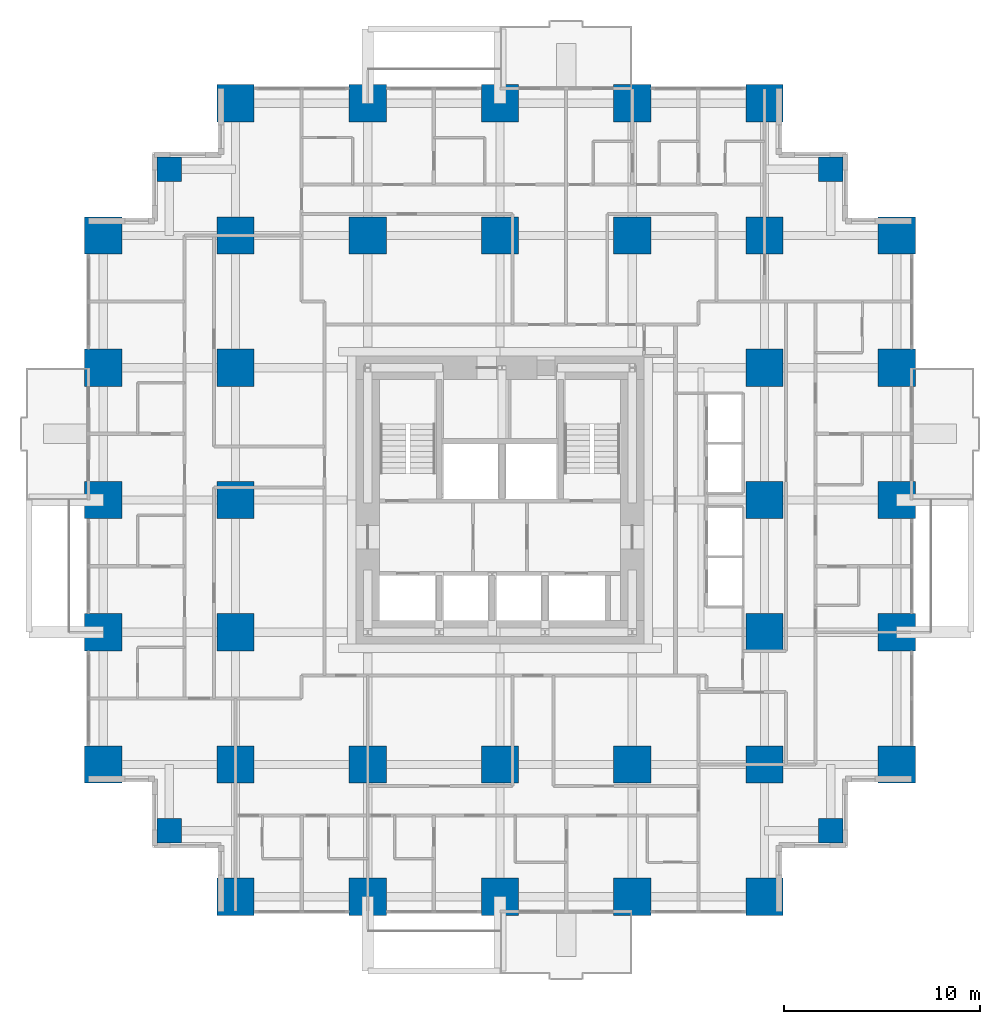
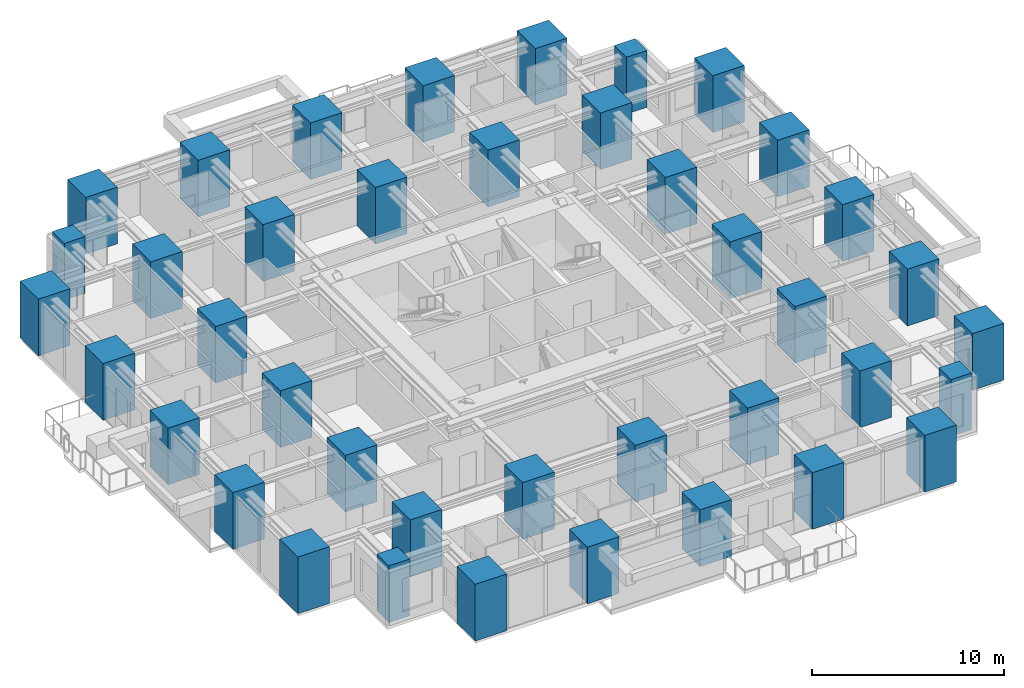
# One storey, part 1 of 14: 40 columns.
"""IFC4 building model written with IfcOpenShell, lengths in metres."""

import ifcopenshell
import ifcopenshell.guid

model = None  # the IFC model being written
_history = None  # IfcOwnerHistory: only IFC2X3 demands one
_inside = {}  # id of a spatial element -> (the spatial element, [elements in it])
_under = {}  # id of a project, library or spatial element -> (it, [spatial elements below it])
_declared = {}  # id of a project -> (the project, [libraries it declares])
_typed = {}  # id of a type object -> (the type object, [elements of that type])
_made_of = {}  # id of a material, layer set ... -> (it, [elements and type objects made of it])


def new_model(schema):
    """Start an empty IFC model of exactly this schema.

    Asked for "IFC4X3", IfcOpenShell would pick the latest addendum, in which some entities
    have other attributes; the version numbers below select the first issue.
    IFC2X3 requires an IfcOwnerHistory on every rooted entity: one is made here for all.
    """
    global model, _history
    if schema == "IFC4X3":
        model = ifcopenshell.file(schema_version=(4, 3, 0, 0))
    else:
        model = ifcopenshell.file(schema=schema)
    _inside.clear()
    _under.clear()
    _declared.clear()
    _typed.clear()
    _made_of.clear()
    _history = None
    if model.schema == "IFC2X3":
        org = make("IfcOrganization", Name="unknown")
        user = make(
            "IfcPersonAndOrganization",
            ThePerson=make("IfcPerson", FamilyName="unknown"),
            TheOrganization=org,
        )
        app = make(
            "IfcApplication",
            ApplicationDeveloper=org,
            Version="unknown",
            ApplicationFullName="unknown",
            ApplicationIdentifier="unknown",
        )
        _history = make(
            "IfcOwnerHistory",
            OwningUser=user,
            OwningApplication=app,
            ChangeAction="ADDED",
            CreationDate=0,
        )
    return model


def make(cls, **values):
    """One entity of the class cls with the attributes given. An attribute that is None is left unset."""
    return model.create_entity(
        cls, **{name: value for name, value in values.items() if value is not None}
    )


def rooted(cls, **values):
    """An entity with a GlobalId (a new one), such as an element, a storey or a relation."""
    return make(cls, GlobalId=ifcopenshell.guid.new(), OwnerHistory=_history, **values)


def si_unit(unit_type, name, prefix=None):
    """IfcSIUnit, for example si_unit("LENGTHUNIT", "METRE", prefix="MILLI")."""
    return make("IfcSIUnit", UnitType=unit_type, Prefix=prefix, Name=name)


def assignment(units):
    """IfcUnitAssignment: the units of a project."""
    return None if units is None else make("IfcUnitAssignment", Units=units)


def point(xyz):
    """IfcCartesianPoint."""
    return None if xyz is None else make("IfcCartesianPoint", Coordinates=xyz)


def direction(xyz):
    """IfcDirection."""
    return None if xyz is None else make("IfcDirection", DirectionRatios=xyz)


def frame(location, z_axis=None, x_axis=None):
    """IfcAxis2Placement3D, a coordinate frame: its origin and axes. An axis left out is left unset."""
    return make(
        "IfcAxis2Placement3D",
        Location=point(location),
        Axis=direction(z_axis),
        RefDirection=direction(x_axis),
    )


def frame_2d(location, x_axis=None):
    """IfcAxis2Placement2D, a coordinate frame in the plane: its origin and x axis."""
    return make(
        "IfcAxis2Placement2D", Location=point(location), RefDirection=direction(x_axis)
    )


def origin():
    """The frame at (0, 0, 0) with its axes left unset."""
    return frame((0.0, 0.0, 0.0))


def origin_2d():
    """The frame at (0, 0) in the plane with its x axis left unset."""
    return frame_2d((0.0, 0.0))


def place(relative_to, where):
    """IfcLocalPlacement: puts the frame where relative to a parent placement (None: the world)."""
    return make(
        "IfcLocalPlacement", PlacementRelTo=relative_to, RelativePlacement=where
    )


def context(
    kind, dimensions, precision=None, world=None, true_north=None, identifier=None
):
    """IfcGeometricRepresentationContext, for example the 3D "Model" context."""
    return make(
        "IfcGeometricRepresentationContext",
        ContextIdentifier=identifier,
        ContextType=kind,
        CoordinateSpaceDimension=dimensions,
        Precision=precision,
        WorldCoordinateSystem=world,
        TrueNorth=true_north,
    )


def subcontext(parent, identifier, kind, view, scale=None):
    """IfcGeometricRepresentationSubContext, for example "Body" below "Model"."""
    return make(
        "IfcGeometricRepresentationSubContext",
        ContextIdentifier=identifier,
        ContextType=kind,
        ParentContext=parent,
        TargetScale=scale,
        TargetView=view,
    )


def project(units=None, contexts=None):
    """IfcProject with its units and contexts."""
    return rooted(
        "IfcProject",
        Name="project",
        RepresentationContexts=contexts,
        UnitsInContext=assignment(units),
    )


def spatial(cls, under=None, at=None, **own):
    """A site, building, storey or space (cls), placed at a placement, below another one or the project."""
    s = rooted(cls, ObjectPlacement=at, **own)
    if under is not None:
        _under.setdefault(under.id(), (under, []))[1].append(s)
    return s


def profile(cls, at=None, kind="AREA", **sizes):
    """A parametric profile (cls). Its sizes go by their IFC names, for example OverallWidth=200.0."""
    return make(cls, ProfileType=kind, Position=at, **sizes)


def rectangle(**sizes):
    """IfcRectangleProfileDef."""
    return profile("IfcRectangleProfileDef", **sizes)


def extrude(swept, where, along, depth):
    """IfcExtrudedAreaSolid: the profile swept, set in the frame where, extruded along a direction by depth."""
    return make(
        "IfcExtrudedAreaSolid",
        SweptArea=swept,
        Position=where,
        ExtrudedDirection=direction(along),
        Depth=depth,
    )


def shape(context_of_items, identifier, shape_type, items):
    """IfcShapeRepresentation: the items that make up one representation, for example the "Body"."""
    return make(
        "IfcShapeRepresentation",
        ContextOfItems=context_of_items,
        RepresentationIdentifier=identifier,
        RepresentationType=shape_type,
        Items=items,
    )


def material(Name=None, Category=None):
    """IfcMaterial."""
    return make("IfcMaterial", Name=Name, Category=Category)


def material_profile(
    of_material, cross_section, Name=None, Category=None, Priority=None
):
    """IfcMaterialProfile: a cross section and its material."""
    return make(
        "IfcMaterialProfile",
        Name=Name,
        Material=of_material,
        Profile=cross_section,
        Priority=Priority,
        Category=Category,
    )


def profile_set(profiles, Name=None, composite=None):
    """IfcMaterialProfileSet."""
    return make(
        "IfcMaterialProfileSet",
        Name=Name,
        MaterialProfiles=profiles,
        CompositeProfile=composite,
    )


def made_of(thing, what):
    """Note that an element or type object is made of a material, layer set ...; save() writes the relation."""
    if what is not None:
        _made_of.setdefault(what.id(), (what, []))[1].append(thing)
    return thing


def type_object(cls, material=None, **own):
    """A type object (cls), such as IfcWallType, which elements share."""
    return made_of(rooted(cls, **own), material)


def element(
    cls,
    number,
    at=None,
    inside=None,
    cuts=None,
    type_object=None,
    material=None,
    context=None,
    identifier="Body",
    shape_type=None,
    held_by="IfcProductDefinitionShape",
    body=None,
    shapes=None,
    **own,
):
    """One element of the class cls, such as IfcWall. Its Tag is "e" and its number.

    at: its placement. inside: the storey or other place that contains it. cuts: it is an
    opening in that element (IfcRelVoidsElement). A single representation is given by context,
    identifier, shape_type and body (its items); several are given by shapes. held_by: the class
    of the entity that holds the representations. save() writes the other relations.
    """
    e = rooted(cls, Tag="e%d" % number, ObjectPlacement=at, **own)
    if body is not None:
        shapes = [shape(context, identifier, shape_type, body)]
    if shapes is not None:
        e.Representation = make(held_by, Representations=shapes)
    if inside is not None:
        _inside.setdefault(inside.id(), (inside, []))[1].append(e)
    if cuts is not None:
        rooted(
            "IfcRelVoidsElement", RelatingBuildingElement=cuts, RelatedOpeningElement=e
        )
    if type_object is not None:
        _typed.setdefault(type_object.id(), (type_object, []))[1].append(e)
    return made_of(e, material)


def aggregate(whole, parts):
    """IfcRelAggregates: a whole, such as a stair, and the parts it consists of."""
    return rooted("IfcRelAggregates", RelatingObject=whole, RelatedObjects=parts)


def save(model, path):
    """Write the relations noted so far, then the file.

    IfcRelAggregates (storeys below a building ...), IfcRelContainedInSpatialStructure (elements
    in a storey), IfcRelDefinesByType, IfcRelAssociatesMaterial and IfcRelDeclares: one each for
    every whole, place, type object, material and project.
    """
    for whole, parts in _under.values():
        aggregate(whole, parts)
    for where, things in _inside.values():
        rooted(
            "IfcRelContainedInSpatialStructure",
            RelatedElements=things,
            RelatingStructure=where,
        )
    for kind, things in _typed.values():
        rooted("IfcRelDefinesByType", RelatedObjects=things, RelatingType=kind)
    for what, things in _made_of.values():
        rooted("IfcRelAssociatesMaterial", RelatedObjects=things, RelatingMaterial=what)
    for by, libraries in _declared.values():
        rooted("IfcRelDeclares", RelatingContext=by, RelatedDefinitions=libraries)
    model.write(path)


model = new_model("IFC4")

# Units and contexts
model_context = context("Model", 3, precision=1e-05, world=origin(), true_north=direction((0.0, 1.0)))
body_context = subcontext(model_context, "Body", "Model", "MODEL_VIEW")
ifc_project = project(units=[si_unit("LENGTHUNIT", "METRE"), si_unit("AREAUNIT", "SQUARE_METRE"), si_unit("VOLUMEUNIT", "CUBIC_METRE"), si_unit("PLANEANGLEUNIT", "RADIAN"), si_unit("MASSUNIT", "GRAM", prefix="KILO")], contexts=[model_context])

# Site, building, storey
site_placement = place(None, origin())
site = spatial("IfcSite", under=ifc_project, at=site_placement, CompositionType="ELEMENT")
building_placement = place(site_placement, origin())
building = spatial("IfcBuilding", under=site, at=building_placement, Name="Nyansa Garden Tower", CompositionType="ELEMENT")
storey_placement = place(building_placement, frame((0.0, 0.0, 28.800048828125)))
storey = spatial("IfcBuildingStorey", under=building, at=storey_placement, Name="L07", CompositionType="ELEMENT", Elevation=28.800048828125)

# Columns
ifc_material_1 = material(Name="Concrete C70/85", Category="concrete")
ifc_material_profile_1 = material_profile(ifc_material_1, rectangle(XDim=1.25, YDim=1.25, at=origin_2d()), Name="RC 1250x1250")
ifc_profile_set_1 = profile_set([ifc_material_profile_1], Name="Concrete C70/85")
column_type_1 = type_object("IfcColumnType", Name="Column C125 RC 1250x1250", PredefinedType="COLUMN", material=ifc_profile_set_1)
for number, where, z_axis, x_axis, name in (
    (1, (3.375, 3.375, 0.0), (0.0, 0.0, 1.0), (1.0, 0.0, 0.0), "Column x3.375/y3.375 L07"),
    (2, (3.375, 37.125, 0.0), (0.0, 0.0, 1.0), (1.0, 0.0, 0.0), "Column x3.375/y37.125 L07"),
    (3, (37.125, 3.375, 0.0), (0.0, 0.0, 1.0), (1.0, 0.0, 0.0), "Column x37.125/y3.375 L07"),
    (4, (37.125, 37.125, 0.0), (0.0, 0.0, 1.0), (1.0, 0.0, 0.0), "Column x37.125/y37.125 L07"),
):
    element("IfcColumn", number, at=place(storey_placement, frame(where, z_axis=z_axis, x_axis=x_axis)), inside=storey, type_object=column_type_1, Name=name, PredefinedType="COLUMN", context=body_context, shape_type="SweptSolid", body=[
        extrude(rectangle(XDim=1.25, YDim=1.25, at=origin_2d()), origin(), (0.0, 0.0, 1.0), 3.599853515625),
    ])
ifc_material_2 = material(Name="Concrete C80/95", Category="concrete")
ifc_material_profile_2 = material_profile(ifc_material_2, rectangle(XDim=1.89990234375, YDim=1.89990234375, at=origin_2d()), Name="RC 1900x1900")
ifc_profile_set_2 = profile_set([ifc_material_profile_2], Name="Concrete C80/95")
column_type_2 = type_object("IfcColumnType", Name="Column C190 RC 1900x1900", PredefinedType="COLUMN", material=ifc_profile_set_2)
for number, where, z_axis, x_axis, name in (
    (5, (0.0, 6.75, 0.0), (0.0, 0.0, 1.0), (1.0, 0.0, 0.0), "Column 2/E L07"),
    (6, (0.0, 13.5, 0.0), (0.0, 0.0, 1.0), (1.0, 0.0, 0.0), "Column 2/F L07"),
    (7, (0.0, 20.25, 0.0), (0.0, 0.0, 1.0), (1.0, 0.0, 0.0), "Column 2/G L07"),
    (8, (0.0, 27.0, 0.0), (0.0, 0.0, 1.0), (1.0, 0.0, 0.0), "Column 2/H L07"),
    (9, (0.0, 33.75, 0.0), (0.0, 0.0, 1.0), (1.0, 0.0, 0.0), "Column 2/J L07"),
    (10, (6.75, 0.0, 0.0), (0.0, 0.0, 1.0), (1.0, 0.0, 0.0), "Column 3/D L07"),
    (11, (6.75, 6.75, 0.0), (0.0, 0.0, 1.0), (1.0, 0.0, 0.0), "Column 3/E L07"),
    (12, (6.75, 13.5, 0.0), (0.0, 0.0, 1.0), (1.0, 0.0, 0.0), "Column 3/F L07"),
    (13, (6.75, 20.25, 0.0), (0.0, 0.0, 1.0), (1.0, 0.0, 0.0), "Column 3/G L07"),
    (14, (6.75, 27.0, 0.0), (0.0, 0.0, 1.0), (1.0, 0.0, 0.0), "Column 3/H L07"),
    (15, (6.75, 33.75, 0.0), (0.0, 0.0, 1.0), (1.0, 0.0, 0.0), "Column 3/J L07"),
    (16, (6.75, 40.5, 0.0), (0.0, 0.0, 1.0), (1.0, 0.0, 0.0), "Column 3/K L07"),
    (17, (13.5, 0.0, 0.0), (0.0, 0.0, 1.0), (1.0, 0.0, 0.0), "Column 4/D L07"),
    (18, (13.5, 6.75, 0.0), (0.0, 0.0, 1.0), (1.0, 0.0, 0.0), "Column 4/E L07"),
    (19, (13.5, 33.75, 0.0), (0.0, 0.0, 1.0), (1.0, 0.0, 0.0), "Column 4/J L07"),
    (20, (13.5, 40.5, 0.0), (0.0, 0.0, 1.0), (1.0, 0.0, 0.0), "Column 4/K L07"),
    (21, (20.25, 0.0, 0.0), (0.0, 0.0, 1.0), (1.0, 0.0, 0.0), "Column 5/D L07"),
    (22, (20.25, 6.75, 0.0), (0.0, 0.0, 1.0), (1.0, 0.0, 0.0), "Column 5/E L07"),
    (23, (20.25, 33.75, 0.0), (0.0, 0.0, 1.0), (1.0, 0.0, 0.0), "Column 5/J L07"),
    (24, (20.25, 40.5, 0.0), (0.0, 0.0, 1.0), (1.0, 0.0, 0.0), "Column 5/K L07"),
    (25, (27.0, 0.0, 0.0), (0.0, 0.0, 1.0), (1.0, 0.0, 0.0), "Column 6/D L07"),
    (26, (27.0, 6.75, 0.0), (0.0, 0.0, 1.0), (1.0, 0.0, 0.0), "Column 6/E L07"),
    (27, (27.0, 33.75, 0.0), (0.0, 0.0, 1.0), (1.0, 0.0, 0.0), "Column 6/J L07"),
    (28, (27.0, 40.5, 0.0), (0.0, 0.0, 1.0), (1.0, 0.0, 0.0), "Column 6/K L07"),
    (29, (33.75, 0.0, 0.0), (0.0, 0.0, 1.0), (1.0, 0.0, 0.0), "Column 7/D L07"),
    (30, (33.75, 6.75, 0.0), (0.0, 0.0, 1.0), (1.0, 0.0, 0.0), "Column 7/E L07"),
    (31, (33.75, 13.5, 0.0), (0.0, 0.0, 1.0), (1.0, 0.0, 0.0), "Column 7/F L07"),
    (32, (33.75, 20.25, 0.0), (0.0, 0.0, 1.0), (1.0, 0.0, 0.0), "Column 7/G L07"),
    (33, (33.75, 27.0, 0.0), (0.0, 0.0, 1.0), (1.0, 0.0, 0.0), "Column 7/H L07"),
    (34, (33.75, 33.75, 0.0), (0.0, 0.0, 1.0), (1.0, 0.0, 0.0), "Column 7/J L07"),
    (35, (33.75, 40.5, 0.0), (0.0, 0.0, 1.0), (1.0, 0.0, 0.0), "Column 7/K L07"),
    (36, (40.5, 6.75, 0.0), (0.0, 0.0, 1.0), (1.0, 0.0, 0.0), "Column 8/E L07"),
    (37, (40.5, 13.5, 0.0), (0.0, 0.0, 1.0), (1.0, 0.0, 0.0), "Column 8/F L07"),
    (38, (40.5, 20.25, 0.0), (0.0, 0.0, 1.0), (1.0, 0.0, 0.0), "Column 8/G L07"),
    (39, (40.5, 27.0, 0.0), (0.0, 0.0, 1.0), (1.0, 0.0, 0.0), "Column 8/H L07"),
    (40, (40.5, 33.75, 0.0), (0.0, 0.0, 1.0), (1.0, 0.0, 0.0), "Column 8/J L07"),
):
    element("IfcColumn", number, at=place(storey_placement, frame(where, z_axis=z_axis, x_axis=x_axis)), inside=storey, type_object=column_type_2, Name=name, PredefinedType="COLUMN", context=body_context, shape_type="SweptSolid", body=[
        extrude(rectangle(XDim=1.89990234375, YDim=1.89990234375, at=origin_2d()), origin(), (0.0, 0.0, 1.0), 3.599853515625),
    ])

save(model, "model.ifc")
